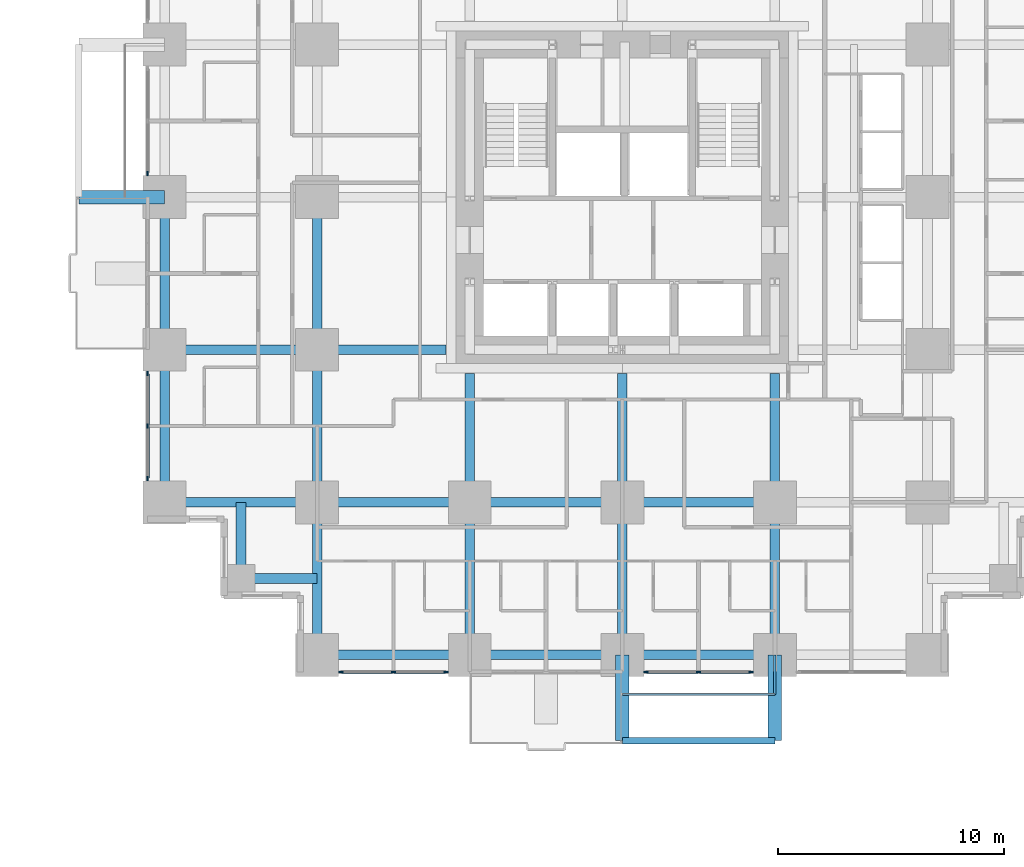
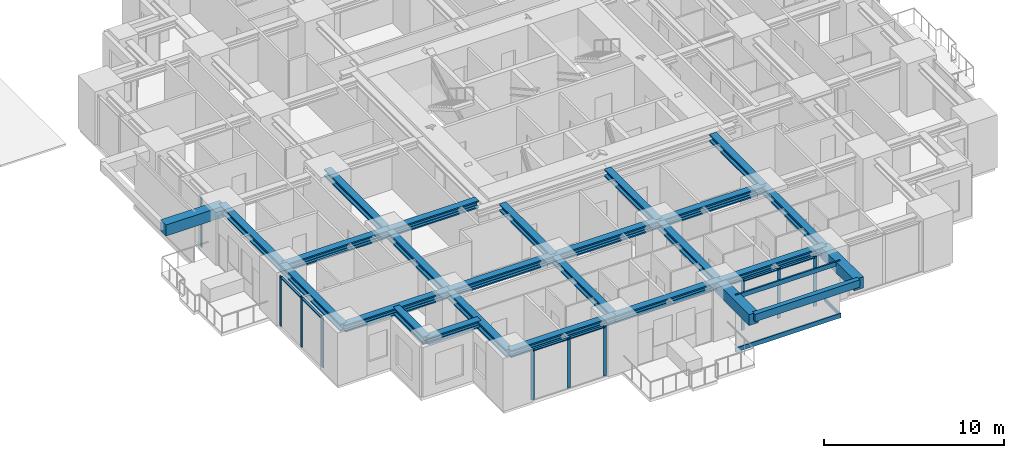
# One storey, part 2 of 14: 26 beams, 19 members, 4 elements without a shape of their own.
"""IFC4 building model written with IfcOpenShell, lengths in metres."""

from ifc_helpers import new_model, si_unit, direction, frame, origin, origin_2d, place, context, subcontext, project, spatial, rectangle, hollow_rectangle, i_section, extrude, material, material_profile, profile_set, type_object, element, aggregate, save


model = new_model("IFC4")

# Units and contexts
model_context = context("Model", 3, precision=1e-05, world=origin(), true_north=direction((0.0, 1.0)))
body_context = subcontext(model_context, "Body", "Model", "MODEL_VIEW")
ifc_project = project(units=[si_unit("LENGTHUNIT", "METRE"), si_unit("AREAUNIT", "SQUARE_METRE"), si_unit("VOLUMEUNIT", "CUBIC_METRE"), si_unit("PLANEANGLEUNIT", "RADIAN"), si_unit("MASSUNIT", "GRAM", prefix="KILO")], contexts=[model_context])

# Site, building, storey
site_placement = place(None, origin())
site = spatial("IfcSite", under=ifc_project, at=site_placement, CompositionType="ELEMENT")
building_placement = place(site_placement, origin())
building = spatial("IfcBuilding", under=site, at=building_placement, Name="Nyansa Garden Tower", CompositionType="ELEMENT")
storey_placement = place(building_placement, frame((0.0, 0.0, 18.0)))
storey = spatial("IfcBuildingStorey", under=building, at=storey_placement, Name="L04", CompositionType="ELEMENT", Elevation=18.0)

# Beams
ifc_material_1 = material(Name="Concrete C70/85", Category="concrete")
ifc_material_profile_1 = material_profile(ifc_material_1, rectangle(XDim=0.60009765625, YDim=0.75, at=origin_2d()), Name="RC 600x750")
ifc_profile_set_1 = profile_set([ifc_material_profile_1], Name="Concrete C70/85")
beam_type_1 = type_object("IfcBeamType", Name="Balcony cantilever beam CB1 RC 600x750", PredefinedType="BEAM", material=ifc_profile_set_1)
for number, where, z_axis, x_axis, name in (
    (1, (20.25, 0.0, 2.985107421875), (0.0, -1.0, 0.0), (1.0, 0.0, 0.0), "Balcony cantilever beam L05"),
    (2, (27.0, 0.0, 2.985107421875), (0.0, -1.0, 0.0), (1.0, 0.0, 0.0), "Balcony cantilever beam L05"),
    (3, (0.0, 20.25, 2.985107421875), (-1.0, 0.0, 0.0), (0.0, -1.0, 0.0), "Balcony cantilever beam L05"),
):
    element("IfcBeam", number, at=place(storey_placement, frame(where, z_axis=z_axis, x_axis=x_axis)), inside=storey, type_object=beam_type_1, Name=name, PredefinedType="BEAM", context=body_context, shape_type="SweptSolid", body=[
        extrude(rectangle(XDim=0.60009765625, YDim=0.75, at=origin_2d()), origin(), (0.0, 0.0, 1.0), 3.800048828125),
    ])
ifc_material_2 = material(Name="Concrete C70/85", Category="concrete")
ifc_material_profile_2 = material_profile(ifc_material_2, rectangle(XDim=0.300048828125, YDim=0.5, at=origin_2d()), Name="RC 300x500")
ifc_profile_set_2 = profile_set([ifc_material_profile_2], Name="Concrete C70/85")
beam_type_2 = type_object("IfcBeamType", Name="Balcony edge beam BE1 RC 300x500", PredefinedType="BEAM", material=ifc_profile_set_2)
beam_1_placement = place(storey_placement, frame((20.25, -3.800048828125, 3.110107421875), z_axis=(1.0, 0.0, 0.0), x_axis=(0.0, 1.0, 0.0)))
element("IfcBeam", 4, at=beam_1_placement, inside=storey, type_object=beam_type_2, Name="Balcony edge beam L05", PredefinedType="BEAM", context=body_context, shape_type="SweptSolid", body=[
    extrude(rectangle(XDim=0.300048828125, YDim=0.5, at=origin_2d()), origin(), (0.0, 0.0, 1.0), 6.75),
])

# Curtain wall, members
ifc_material_3 = material(Name="Black anodised aluminium, dark tinted double glazing", Category="aluminium")
curtain_wall_type = type_object("IfcCurtainWallType", Name="Inner skin curtain wall ISW-A", PredefinedType="USERDEFINED", material=ifc_material_3)
curtain_wall_1_placement = place(storey_placement, origin())
curtain_wall_1 = element("IfcCurtainWall", 5, at=curtain_wall_1_placement, inside=storey, type_object=curtain_wall_type, Name="Inner skin curtain wall L04 W", ObjectType="UNITISED CURTAIN WALL", PredefinedType="USERDEFINED")
ifc_material_4 = material(Name="Black anodised aluminium", Category="aluminium")
ifc_material_profile_3 = material_profile(ifc_material_4, rectangle(XDim=0.06494140625, YDim=0.199951171875, at=origin_2d()), Name="Mullion 200x65")
ifc_profile_set_3 = profile_set([ifc_material_profile_3], Name="Black anodised aluminium")
member_type_1 = type_object("IfcMemberType", Name="Mullion ISW-A 200x65", PredefinedType="MULLION", material=ifc_profile_set_3)
member_1_placement = place(storey_placement, frame((-0.75, 12.449951171875, 0.0), z_axis=(0.0, 0.0, 1.0), x_axis=(1.0, 0.0, 0.0)))
member_1 = element("IfcMember", 6, at=member_1_placement, type_object=member_type_1, Name="ISW-A mullion 1", PredefinedType="MULLION", context=body_context, shape_type="SweptSolid", body=[
    extrude(rectangle(XDim=0.06494140625, YDim=0.199951171875, at=origin_2d()), origin(), (0.0, 0.0, 1.0), 3.375),
])
member_2_placement = place(storey_placement, frame((-0.75, 10.125, 0.0), z_axis=(0.0, 0.0, 1.0), x_axis=(1.0, 0.0, 0.0)))
member_2 = element("IfcMember", 7, at=member_2_placement, type_object=member_type_1, Name="ISW-A mullion 2", PredefinedType="MULLION", context=body_context, shape_type="SweptSolid", body=[
    extrude(rectangle(XDim=0.06494140625, YDim=0.199951171875, at=origin_2d()), origin(), (0.0, 0.0, 1.0), 3.375),
])
member_3_placement = place(storey_placement, frame((-0.75, 7.800048828125, 0.0), z_axis=(0.0, 0.0, 1.0), x_axis=(1.0, 0.0, 0.0)))
member_3 = element("IfcMember", 8, at=member_3_placement, type_object=member_type_1, Name="ISW-A mullion 3", PredefinedType="MULLION", context=body_context, shape_type="SweptSolid", body=[
    extrude(rectangle(XDim=0.06494140625, YDim=0.199951171875, at=origin_2d()), origin(), (0.0, 0.0, 1.0), 3.375),
])

# Curtain wall, member
curtain_wall_2_placement = place(storey_placement, origin())
curtain_wall_2 = element("IfcCurtainWall", 9, at=curtain_wall_2_placement, inside=storey, type_object=curtain_wall_type, Name="Inner skin curtain wall L04 W", ObjectType="UNITISED CURTAIN WALL", PredefinedType="USERDEFINED")
member_4_placement = place(storey_placement, frame((-0.75, 21.300048828125, 0.0), z_axis=(0.0, 0.0, 1.0), x_axis=(1.0, 0.0, 0.0)))
member_4 = element("IfcMember", 10, at=member_4_placement, type_object=member_type_1, Name="ISW-A mullion 3", PredefinedType="MULLION", context=body_context, shape_type="SweptSolid", body=[
    extrude(rectangle(XDim=0.06494140625, YDim=0.199951171875, at=origin_2d()), origin(), (0.0, 0.0, 1.0), 3.375),
])
aggregate(curtain_wall_2, [member_4])

# Curtain wall, members
curtain_wall_3_placement = place(storey_placement, origin())
curtain_wall_3 = element("IfcCurtainWall", 11, at=curtain_wall_3_placement, inside=storey, type_object=curtain_wall_type, Name="Inner skin curtain wall L04 S", ObjectType="UNITISED CURTAIN WALL", PredefinedType="USERDEFINED")
member_5_placement = place(storey_placement, frame((7.800048828125, -0.75, 0.0), z_axis=(0.0, 0.0, 1.0), x_axis=(0.0, 1.0, 0.0)))
member_5 = element("IfcMember", 12, at=member_5_placement, type_object=member_type_1, Name="ISW-A mullion 1", PredefinedType="MULLION", context=body_context, shape_type="SweptSolid", body=[
    extrude(rectangle(XDim=0.06494140625, YDim=0.199951171875, at=origin_2d()), origin(), (0.0, 0.0, 1.0), 3.375),
])
member_6_placement = place(storey_placement, frame((10.125, -0.75, 0.0), z_axis=(0.0, 0.0, 1.0), x_axis=(0.0, 1.0, 0.0)))
member_6 = element("IfcMember", 13, at=member_6_placement, type_object=member_type_1, Name="ISW-A mullion 2", PredefinedType="MULLION", context=body_context, shape_type="SweptSolid", body=[
    extrude(rectangle(XDim=0.06494140625, YDim=0.199951171875, at=origin_2d()), origin(), (0.0, 0.0, 1.0), 3.375),
])
member_7_placement = place(storey_placement, frame((12.449951171875, -0.75, 0.0), z_axis=(0.0, 0.0, 1.0), x_axis=(0.0, 1.0, 0.0)))
member_7 = element("IfcMember", 14, at=member_7_placement, type_object=member_type_1, Name="ISW-A mullion 3", PredefinedType="MULLION", context=body_context, shape_type="SweptSolid", body=[
    extrude(rectangle(XDim=0.06494140625, YDim=0.199951171875, at=origin_2d()), origin(), (0.0, 0.0, 1.0), 3.375),
])

curtain_wall_4_placement = place(storey_placement, origin())
curtain_wall_4 = element("IfcCurtainWall", 15, at=curtain_wall_4_placement, inside=storey, type_object=curtain_wall_type, Name="Inner skin curtain wall L04 S", ObjectType="UNITISED CURTAIN WALL", PredefinedType="USERDEFINED")
member_8_placement = place(storey_placement, frame((21.300048828125, -0.75, 0.0), z_axis=(0.0, 0.0, 1.0), x_axis=(0.0, 1.0, 0.0)))
member_8 = element("IfcMember", 16, at=member_8_placement, type_object=member_type_1, Name="ISW-A mullion 1", PredefinedType="MULLION", context=body_context, shape_type="SweptSolid", body=[
    extrude(rectangle(XDim=0.06494140625, YDim=0.199951171875, at=origin_2d()), origin(), (0.0, 0.0, 1.0), 3.375),
])
member_9_placement = place(storey_placement, frame((23.625, -0.75, 0.0), z_axis=(0.0, 0.0, 1.0), x_axis=(0.0, 1.0, 0.0)))
member_9 = element("IfcMember", 17, at=member_9_placement, type_object=member_type_1, Name="ISW-A mullion 2", PredefinedType="MULLION", context=body_context, shape_type="SweptSolid", body=[
    extrude(rectangle(XDim=0.06494140625, YDim=0.199951171875, at=origin_2d()), origin(), (0.0, 0.0, 1.0), 3.375),
])
member_10_placement = place(storey_placement, frame((25.949951171875, -0.75, 0.0), z_axis=(0.0, 0.0, 1.0), x_axis=(0.0, 1.0, 0.0)))
member_10 = element("IfcMember", 18, at=member_10_placement, type_object=member_type_1, Name="ISW-A mullion 3", PredefinedType="MULLION", context=body_context, shape_type="SweptSolid", body=[
    extrude(rectangle(XDim=0.06494140625, YDim=0.199951171875, at=origin_2d()), origin(), (0.0, 0.0, 1.0), 3.375),
])

# Members
ifc_material_5 = material(Name="Steel S355, black powder coated", Category="steel")
ifc_material_profile_4 = material_profile(ifc_material_5, hollow_rectangle(XDim=0.10009765625, YDim=0.199951171875, WallThickness=0.008056640625, at=origin_2d()), Name="RHS 200x100x8")
ifc_profile_set_4 = profile_set([ifc_material_profile_4], Name="Steel S355, black powder coated")
member_type_2 = type_object("IfcMemberType", Name="Outer skin bracket arm RHS 200x100x8", PredefinedType="USERDEFINED", material=ifc_profile_set_4)
member_11_placement = place(storey_placement, frame((27.0, 0.0, -0.375), z_axis=(0.0, -1.0, 0.0), x_axis=(1.0, 0.0, 0.0)))
element("IfcMember", 19, at=member_11_placement, inside=storey, type_object=member_type_2, Name="Outer skin bracket arm", ObjectType="OUTER SKIN BRACKET", PredefinedType="USERDEFINED", context=body_context, shape_type="SweptSolid", body=[
    extrude(hollow_rectangle(XDim=0.10009765625, YDim=0.199951171875, WallThickness=0.008056640625, at=origin_2d()), origin(), (0.0, 0.0, 1.0), 1.75),
])
ifc_material_6 = material(Name="Steel S355, black powder coated", Category="steel")
ifc_material_profile_5 = material_profile(ifc_material_6, hollow_rectangle(XDim=0.10009765625, YDim=0.300048828125, WallThickness=0.010009765625, at=origin_2d()), Name="RHS 300x100x10")
ifc_profile_set_5 = profile_set([ifc_material_profile_5], Name="Steel S355, black powder coated")
member_type_3 = type_object("IfcMemberType", Name="Outer skin rail RHS 300x100x10", PredefinedType="USERDEFINED", material=ifc_profile_set_5)
for number, where, z_axis, x_axis, name in (
    (20, (20.25, -1.75, -0.375), (1.0, 0.0, 0.0), (0.0, 1.0, 0.0), "Outer skin rail L04"),
    (21, (20.25, -1.75, 3.22509765625), (1.0, 0.0, 0.0), (0.0, 1.0, 0.0), "Outer skin rail L04 head"),
):
    element("IfcMember", number, at=place(storey_placement, frame(where, z_axis=z_axis, x_axis=x_axis)), inside=storey, type_object=member_type_3, Name=name, ObjectType="OUTER SKIN RAIL", PredefinedType="USERDEFINED", context=body_context, shape_type="SweptSolid", body=[
        extrude(hollow_rectangle(XDim=0.10009765625, YDim=0.300048828125, WallThickness=0.010009765625, at=origin_2d()), origin(), (0.0, 0.0, 1.0), 6.75),
    ])

# Beams
ifc_material_7 = material(Name="Steel S355", Category="steel")
ifc_material_profile_6 = material_profile(ifc_material_7, i_section(OverallWidth=0.431884765625, OverallDepth=0.498046875, WebThickness=0.0556640625, FlangeThickness=0.0888671875, FilletRadius=0.014892578125, at=origin_2d()), Name="HD 400x744")
ifc_profile_set_6 = profile_set([ifc_material_profile_6], Name="Steel S355")
beam_type_3 = type_object("IfcBeamType", Name="Steel beam SBA1-744 HD 400x744", PredefinedType="BEAM", material=ifc_profile_set_6)
for number, where, z_axis, x_axis, name in (
    (22, (0.0, 6.75, 3.1259765625), (1.0, 0.0, 0.0), (0.0, 1.0, 0.0), "Steel beam 2/E-3/E L05"),
    (23, (0.0, 13.5, 3.1259765625), (1.0, 0.0, 0.0), (0.0, 1.0, 0.0), "Steel beam 2/F-3/F L05"),
    (24, (6.75, 0.0, 3.1259765625), (0.0, 1.0, 0.0), (-1.0, 0.0, 0.0), "Steel beam 3/D-3/E L05"),
    (25, (6.75, 6.75, 3.1259765625), (0.0, 1.0, 0.0), (-1.0, 0.0, 0.0), "Steel beam 3/E-3/F L05"),
    (26, (6.75, 6.75, 3.1259765625), (1.0, 0.0, 0.0), (0.0, 1.0, 0.0), "Steel beam 3/E-4/E L05"),
    (27, (6.75, 13.5, 3.1259765625), (0.0, 1.0, 0.0), (-1.0, 0.0, 0.0), "Steel beam 3/F-3/G L05"),
):
    element("IfcBeam", number, at=place(storey_placement, frame(where, z_axis=z_axis, x_axis=x_axis)), inside=storey, type_object=beam_type_3, Name=name, PredefinedType="BEAM", context=body_context, shape_type="SweptSolid", body=[
        extrude(i_section(OverallWidth=0.431884765625, OverallDepth=0.498046875, WebThickness=0.0556640625, FlangeThickness=0.0888671875, FilletRadius=0.014892578125, at=origin_2d()), origin(), (0.0, 0.0, 1.0), 6.75),
    ])
beam_2_placement = place(storey_placement, frame((6.75, 13.5, 3.1259765625), z_axis=(1.0, 0.0, 0.0), x_axis=(0.0, 1.0, 0.0)))
element("IfcBeam", 28, at=beam_2_placement, inside=storey, type_object=beam_type_3, Name="Steel beam 3/F-12.450/F L05", PredefinedType="BEAM", context=body_context, shape_type="SweptSolid", body=[
    extrude(i_section(OverallWidth=0.431884765625, OverallDepth=0.498046875, WebThickness=0.0556640625, FlangeThickness=0.0888671875, FilletRadius=0.014892578125, at=origin_2d()), origin(), (0.0, 0.0, 1.0), 5.699951171875),
])
beam_3_placement = place(storey_placement, frame((13.5, 0.0, 3.1259765625), z_axis=(0.0, 1.0, 0.0), x_axis=(-1.0, 0.0, 0.0)))
element("IfcBeam", 29, at=beam_3_placement, inside=storey, type_object=beam_type_3, Name="Steel beam 4/D-4/E L05", PredefinedType="BEAM", context=body_context, shape_type="SweptSolid", body=[
    extrude(i_section(OverallWidth=0.431884765625, OverallDepth=0.498046875, WebThickness=0.0556640625, FlangeThickness=0.0888671875, FilletRadius=0.014892578125, at=origin_2d()), origin(), (0.0, 0.0, 1.0), 6.75),
])
beam_4_placement = place(storey_placement, frame((13.5, 6.75, 3.1259765625), z_axis=(0.0, 1.0, 0.0), x_axis=(-1.0, 0.0, 0.0)))
element("IfcBeam", 30, at=beam_4_placement, inside=storey, type_object=beam_type_3, Name="Steel beam 4/E-4/12.450 L05", PredefinedType="BEAM", context=body_context, shape_type="SweptSolid", body=[
    extrude(i_section(OverallWidth=0.431884765625, OverallDepth=0.498046875, WebThickness=0.0556640625, FlangeThickness=0.0888671875, FilletRadius=0.014892578125, at=origin_2d()), origin(), (0.0, 0.0, 1.0), 5.699951171875),
])
for number, where, z_axis, x_axis, name in (
    (31, (13.5, 6.75, 3.1259765625), (1.0, 0.0, 0.0), (0.0, 1.0, 0.0), "Steel beam 4/E-5/E L05"),
    (32, (20.25, 0.0, 3.1259765625), (0.0, 1.0, 0.0), (-1.0, 0.0, 0.0), "Steel beam 5/D-5/E L05"),
):
    element("IfcBeam", number, at=place(storey_placement, frame(where, z_axis=z_axis, x_axis=x_axis)), inside=storey, type_object=beam_type_3, Name=name, PredefinedType="BEAM", context=body_context, shape_type="SweptSolid", body=[
        extrude(i_section(OverallWidth=0.431884765625, OverallDepth=0.498046875, WebThickness=0.0556640625, FlangeThickness=0.0888671875, FilletRadius=0.014892578125, at=origin_2d()), origin(), (0.0, 0.0, 1.0), 6.75),
    ])
beam_5_placement = place(storey_placement, frame((20.25, 6.75, 3.1259765625), z_axis=(0.0, 1.0, 0.0), x_axis=(-1.0, 0.0, 0.0)))
element("IfcBeam", 33, at=beam_5_placement, inside=storey, type_object=beam_type_3, Name="Steel beam 5/E-5/12.450 L05", PredefinedType="BEAM", context=body_context, shape_type="SweptSolid", body=[
    extrude(i_section(OverallWidth=0.431884765625, OverallDepth=0.498046875, WebThickness=0.0556640625, FlangeThickness=0.0888671875, FilletRadius=0.014892578125, at=origin_2d()), origin(), (0.0, 0.0, 1.0), 5.699951171875),
])
for number, where, z_axis, x_axis, name in (
    (34, (20.25, 6.75, 3.1259765625), (1.0, 0.0, 0.0), (0.0, 1.0, 0.0), "Steel beam 5/E-6/E L05"),
    (35, (27.0, 0.0, 3.1259765625), (0.0, 1.0, 0.0), (-1.0, 0.0, 0.0), "Steel beam 6/D-6/E L05"),
):
    element("IfcBeam", number, at=place(storey_placement, frame(where, z_axis=z_axis, x_axis=x_axis)), inside=storey, type_object=beam_type_3, Name=name, PredefinedType="BEAM", context=body_context, shape_type="SweptSolid", body=[
        extrude(i_section(OverallWidth=0.431884765625, OverallDepth=0.498046875, WebThickness=0.0556640625, FlangeThickness=0.0888671875, FilletRadius=0.014892578125, at=origin_2d()), origin(), (0.0, 0.0, 1.0), 6.75),
    ])
beam_6_placement = place(storey_placement, frame((27.0, 6.75, 3.1259765625), z_axis=(0.0, 1.0, 0.0), x_axis=(-1.0, 0.0, 0.0)))
element("IfcBeam", 36, at=beam_6_placement, inside=storey, type_object=beam_type_3, Name="Steel beam 6/E-6/12.450 L05", PredefinedType="BEAM", context=body_context, shape_type="SweptSolid", body=[
    extrude(i_section(OverallWidth=0.431884765625, OverallDepth=0.498046875, WebThickness=0.0556640625, FlangeThickness=0.0888671875, FilletRadius=0.014892578125, at=origin_2d()), origin(), (0.0, 0.0, 1.0), 5.699951171875),
])
ifc_material_8 = material(Name="Steel S355", Category="steel")
ifc_material_profile_7 = material_profile(ifc_material_8, i_section(OverallWidth=0.431884765625, OverallDepth=0.498046875, WebThickness=0.0556640625, FlangeThickness=0.0888671875, FilletRadius=0.014892578125, at=origin_2d()), Name="HD 400x744")
ifc_profile_set_7 = profile_set([ifc_material_profile_7], Name="Steel S355")
beam_type_4 = type_object("IfcBeamType", Name="Steel beam SEBA-744 HD 400x744", PredefinedType="BEAM", material=ifc_profile_set_7)
for number, where, z_axis, x_axis, name in (
    (37, (0.0, 6.75, 3.1259765625), (0.0, 1.0, 0.0), (-1.0, 0.0, 0.0), "Steel edge beam 2/E-2/F L05"),
    (38, (0.0, 13.5, 3.1259765625), (0.0, 1.0, 0.0), (-1.0, 0.0, 0.0), "Steel edge beam 2/F-2/G L05"),
    (39, (6.75, 0.0, 3.1259765625), (1.0, 0.0, 0.0), (0.0, 1.0, 0.0), "Steel edge beam 3/D-4/D L05"),
    (40, (13.5, 0.0, 3.1259765625), (1.0, 0.0, 0.0), (0.0, 1.0, 0.0), "Steel edge beam 4/D-5/D L05"),
    (41, (20.25, 0.0, 3.1259765625), (1.0, 0.0, 0.0), (0.0, 1.0, 0.0), "Steel edge beam 5/D-6/D L05"),
):
    element("IfcBeam", number, at=place(storey_placement, frame(where, z_axis=z_axis, x_axis=x_axis)), inside=storey, type_object=beam_type_4, Name=name, PredefinedType="BEAM", context=body_context, shape_type="SweptSolid", body=[
        extrude(i_section(OverallWidth=0.431884765625, OverallDepth=0.498046875, WebThickness=0.0556640625, FlangeThickness=0.0888671875, FilletRadius=0.014892578125, at=origin_2d()), origin(), (0.0, 0.0, 1.0), 6.75),
    ])
ifc_material_9 = material(Name="Steel S355", Category="steel")
ifc_material_profile_8 = material_profile(ifc_material_9, i_section(OverallWidth=0.431884765625, OverallDepth=0.498046875, WebThickness=0.0556640625, FlangeThickness=0.0888671875, FilletRadius=0.014892578125, at=origin_2d()), Name="HD 400x744")
ifc_profile_set_8 = profile_set([ifc_material_profile_8], Name="Steel S355")
beam_type_5 = type_object("IfcBeamType", Name="Steel beam SSB1-744 HD 400x744", PredefinedType="BEAM", material=ifc_profile_set_8)
for number, where, z_axis, x_axis, name in (
    (42, (3.375, 3.375, 3.1259765625), (0.0, 1.0, 0.0), (-1.0, 0.0, 0.0), "Steel step beam 3.375/3.375 L05"),
    (43, (3.375, 3.375, 3.1259765625), (1.0, 0.0, 0.0), (0.0, 1.0, 0.0), "Steel step beam 3.375/3.375 L05"),
):
    element("IfcBeam", number, at=place(storey_placement, frame(where, z_axis=z_axis, x_axis=x_axis)), inside=storey, type_object=beam_type_5, Name=name, PredefinedType="BEAM", context=body_context, shape_type="SweptSolid", body=[
        extrude(i_section(OverallWidth=0.431884765625, OverallDepth=0.498046875, WebThickness=0.0556640625, FlangeThickness=0.0888671875, FilletRadius=0.014892578125, at=origin_2d()), origin(), (0.0, 0.0, 1.0), 3.375),
    ])

# Member
ifc_material_10 = material(Name="Black anodised aluminium", Category="aluminium")
ifc_material_profile_9 = material_profile(ifc_material_10, rectangle(XDim=0.14990234375, YDim=0.06494140625, at=origin_2d()), Name="Transom 150x65")
ifc_profile_set_9 = profile_set([ifc_material_profile_9], Name="Black anodised aluminium")
member_type_4 = type_object("IfcMemberType", Name="Transom ISW-A 150x65", PredefinedType="USERDEFINED", material=ifc_profile_set_9)
member_12_placement = place(storey_placement, frame((-0.75, 12.41748046875, 3.342529296875), z_axis=(0.0, -1.0, 0.0), x_axis=(1.0, 0.0, 0.0)))
member_12 = element("IfcMember", 44, at=member_12_placement, type_object=member_type_4, Name="ISW-A transom 1", ObjectType="TRANSOM", PredefinedType="USERDEFINED", context=body_context, shape_type="SweptSolid", body=[
    extrude(rectangle(XDim=0.14990234375, YDim=0.06494140625, at=origin_2d()), origin(), (0.0, 0.0, 1.0), 2.260009765625),
])

member_13_placement = place(storey_placement, frame((-0.75, 10.092529296875, 3.342529296875), z_axis=(0.0, -1.0, 0.0), x_axis=(1.0, 0.0, 0.0)))
member_13 = element("IfcMember", 45, at=member_13_placement, type_object=member_type_4, Name="ISW-A transom 2", ObjectType="TRANSOM", PredefinedType="USERDEFINED", context=body_context, shape_type="SweptSolid", body=[
    extrude(rectangle(XDim=0.14990234375, YDim=0.06494140625, at=origin_2d()), origin(), (0.0, 0.0, 1.0), 2.260009765625),
])

aggregate(curtain_wall_1, [member_1, member_2, member_3, member_12, member_13])

member_14_placement = place(storey_placement, frame((7.83251953125, -0.75, 3.342529296875), z_axis=(1.0, 0.0, 0.0), x_axis=(0.0, 1.0, 0.0)))
member_14 = element("IfcMember", 46, at=member_14_placement, type_object=member_type_4, Name="ISW-A transom 1", ObjectType="TRANSOM", PredefinedType="USERDEFINED", context=body_context, shape_type="SweptSolid", body=[
    extrude(rectangle(XDim=0.14990234375, YDim=0.06494140625, at=origin_2d()), origin(), (0.0, 0.0, 1.0), 2.260009765625),
])

member_15_placement = place(storey_placement, frame((10.157470703125, -0.75, 3.342529296875), z_axis=(1.0, 0.0, 0.0), x_axis=(0.0, 1.0, 0.0)))
member_15 = element("IfcMember", 47, at=member_15_placement, type_object=member_type_4, Name="ISW-A transom 2", ObjectType="TRANSOM", PredefinedType="USERDEFINED", context=body_context, shape_type="SweptSolid", body=[
    extrude(rectangle(XDim=0.14990234375, YDim=0.06494140625, at=origin_2d()), origin(), (0.0, 0.0, 1.0), 2.260009765625),
])

aggregate(curtain_wall_3, [member_5, member_6, member_7, member_14, member_15])

member_16_placement = place(storey_placement, frame((21.33251953125, -0.75, 3.342529296875), z_axis=(1.0, 0.0, 0.0), x_axis=(0.0, 1.0, 0.0)))
member_16 = element("IfcMember", 48, at=member_16_placement, type_object=member_type_4, Name="ISW-A transom 1", ObjectType="TRANSOM", PredefinedType="USERDEFINED", context=body_context, shape_type="SweptSolid", body=[
    extrude(rectangle(XDim=0.14990234375, YDim=0.06494140625, at=origin_2d()), origin(), (0.0, 0.0, 1.0), 2.260009765625),
])

member_17_placement = place(storey_placement, frame((23.657470703125, -0.75, 3.342529296875), z_axis=(1.0, 0.0, 0.0), x_axis=(0.0, 1.0, 0.0)))
member_17 = element("IfcMember", 49, at=member_17_placement, type_object=member_type_4, Name="ISW-A transom 2", ObjectType="TRANSOM", PredefinedType="USERDEFINED", context=body_context, shape_type="SweptSolid", body=[
    extrude(rectangle(XDim=0.14990234375, YDim=0.06494140625, at=origin_2d()), origin(), (0.0, 0.0, 1.0), 2.260009765625),
])

aggregate(curtain_wall_4, [member_8, member_9, member_10, member_16, member_17])

save(model, "model.ifc")
